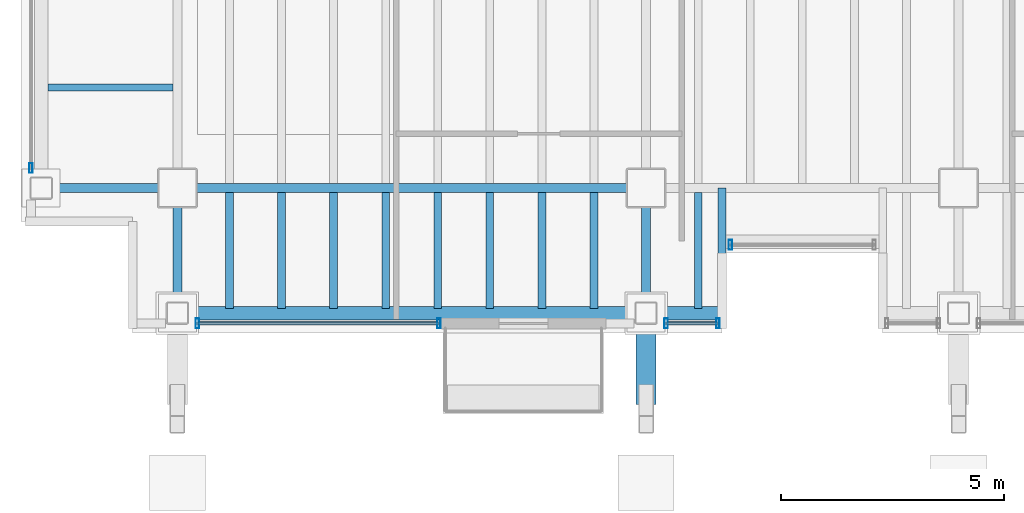
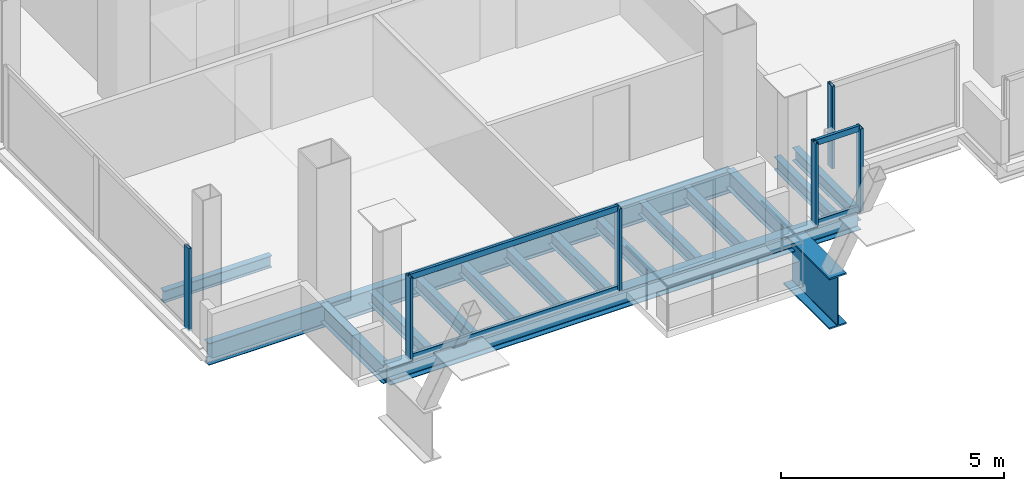
# One storey, part 2 of 16: 18 beams, 10 members, 4 elements without a shape of their own.
"""IFC4 building model written with IfcOpenShell, lengths in metres."""

from ifc_helpers import new_model, si_unit, direction, frame, origin, origin_2d, place, context, subcontext, project, spatial, hollow_rectangle, i_section, extrude, material, material_profile, profile_set, type_object, element, aggregate, save


model = new_model("IFC4")

# Units and contexts
model_context = context("Model", 3, precision=1e-05, world=origin(), true_north=direction((0.0, 1.0)))
body_context = subcontext(model_context, "Body", "Model", "MODEL_VIEW")
ifc_project = project(units=[si_unit("LENGTHUNIT", "METRE"), si_unit("AREAUNIT", "SQUARE_METRE"), si_unit("VOLUMEUNIT", "CUBIC_METRE"), si_unit("PLANEANGLEUNIT", "RADIAN"), si_unit("MASSUNIT", "GRAM", prefix="KILO")], contexts=[model_context])

# Site, building, storey
site_placement = place(None, origin())
site = spatial("IfcSite", under=ifc_project, at=site_placement, CompositionType="ELEMENT")
building_placement = place(site_placement, origin())
building = spatial("IfcBuilding", under=site, at=building_placement, Name="Noeulbin Bourse Tower", CompositionType="ELEMENT")
storey_placement = place(building_placement, frame((0.0, 0.0, 192.89990234375)))
storey = spatial("IfcBuildingStorey", under=building, at=storey_placement, Name="L48", CompositionType="ELEMENT", Elevation=192.89990234375)

# Beams
ifc_material_1 = material(Name="Steel S355", Category="steel")
ifc_material_profile_1 = material_profile(ifc_material_1, i_section(OverallWidth=0.199951171875, OverallDepth=0.5, WebThickness=0.010009765625, FlangeThickness=0.01611328125, FilletRadius=0.02001953125, at=origin_2d()), Name="H-500x200x10x16", Category="LoadBearing")
ifc_profile_set_1 = profile_set([ifc_material_profile_1], Name="Steel S355")
beam_type_1 = type_object("IfcBeamType", Name="BM-GRD-500", PredefinedType="USERDEFINED", material=ifc_profile_set_1)
for number, where, z_axis, x_axis, name in (
    (1, (13.5, 17.199951171875, -0.429931640625), (0.0, 1.0, 0.0), (-1.0, 0.0, 0.0), "Tower Primary Girder NS L48-1.1"),
    (2, (24.0, 17.199951171875, -0.429931640625), (0.0, 1.0, 0.0), (-1.0, 0.0, 0.0), "Tower Primary Girder NS L48-2.1"),
):
    element("IfcBeam", number, at=place(storey_placement, frame(where, z_axis=z_axis, x_axis=x_axis)), inside=storey, type_object=beam_type_1, Name=name, ObjectType="GIRDER", PredefinedType="USERDEFINED", context=body_context, shape_type="SweptSolid", body=[
        extrude(i_section(OverallWidth=0.199951171875, OverallDepth=0.5, WebThickness=0.010009765625, FlangeThickness=0.01611328125, FilletRadius=0.02001953125, at=origin_2d()), origin(), (0.0, 0.0, 1.0), 2.800048828125),
    ])
ifc_material_profile_2 = material_profile(ifc_material_1, i_section(OverallWidth=0.199951171875, OverallDepth=0.60009765625, WebThickness=0.010986328125, FlangeThickness=0.01708984375, FilletRadius=0.02197265625, at=origin_2d()), Name="H-600x200x11x17", Category="LoadBearing")
ifc_profile_set_2 = profile_set([ifc_material_profile_2], Name="Steel S355")
beam_type_2 = type_object("IfcBeamType", Name="BM-GRD-600", PredefinedType="USERDEFINED", material=ifc_profile_set_2)
beam_1_placement = place(storey_placement, frame((10.449951171875, 20.0, -0.47998046875), z_axis=(1.0, 0.0, 0.0), x_axis=(0.0, 1.0, 0.0)))
element("IfcBeam", 3, at=beam_1_placement, inside=storey, type_object=beam_type_2, Name="Tower Primary Girder EW L48-1.1", ObjectType="GIRDER", PredefinedType="USERDEFINED", context=body_context, shape_type="SweptSolid", body=[
    extrude(i_section(OverallWidth=0.199951171875, OverallDepth=0.60009765625, WebThickness=0.010986328125, FlangeThickness=0.01708984375, FilletRadius=0.02197265625, at=origin_2d()), origin(), (0.0, 0.0, 1.0), 3.050048828125),
])
beam_2_placement = place(storey_placement, frame((13.5, 20.0, -0.47998046875), z_axis=(1.0, 0.0, 0.0), x_axis=(0.0, 1.0, 0.0)))
element("IfcBeam", 4, at=beam_2_placement, inside=storey, type_object=beam_type_2, Name="Tower Primary Girder EW L48-1.2", ObjectType="GIRDER", PredefinedType="USERDEFINED", context=body_context, shape_type="SweptSolid", body=[
    extrude(i_section(OverallWidth=0.199951171875, OverallDepth=0.60009765625, WebThickness=0.010986328125, FlangeThickness=0.01708984375, FilletRadius=0.02197265625, at=origin_2d()), origin(), (0.0, 0.0, 1.0), 10.5),
])
ifc_material_profile_3 = material_profile(ifc_material_1, i_section(OverallWidth=0.159912109375, OverallDepth=0.320068359375, WebThickness=0.006591796875, FlangeThickness=0.010009765625, FilletRadius=0.012939453125, at=origin_2d()), Name="H-320x160x6.5x10", Category="LoadBearing")
ifc_profile_set_3 = profile_set([ifc_material_profile_3], Name="Steel S355")
beam_type_3 = type_object("IfcBeamType", Name="BM-JST-320", PredefinedType="JOIST", material=ifc_profile_set_3)
beam_3_placement = place(storey_placement, frame((10.60009765625, 22.25, -0.33984375), z_axis=(1.0, 0.0, 0.0), x_axis=(0.0, 1.0, 0.0)))
element("IfcBeam", 5, at=beam_3_placement, inside=storey, type_object=beam_type_3, Name="Wing Composite Joist L48-W67", PredefinedType="JOIST", context=body_context, shape_type="SweptSolid", body=[
    extrude(i_section(OverallWidth=0.159912109375, OverallDepth=0.320068359375, WebThickness=0.006591796875, FlangeThickness=0.010009765625, FilletRadius=0.012939453125, at=origin_2d()), origin(), (0.0, 0.0, 1.0), 2.7998046875),
])
ifc_material_profile_4 = material_profile(ifc_material_1, i_section(OverallWidth=0.175048828125, OverallDepth=0.35009765625, WebThickness=0.007080078125, FlangeThickness=0.010986328125, FilletRadius=0.013916015625, at=origin_2d()), Name="H-350x175x7x11", Category="LoadBearing")
ifc_profile_set_4 = profile_set([ifc_material_profile_4], Name="Steel S355")
beam_type_4 = type_object("IfcBeamType", Name="BM-JST-350", PredefinedType="JOIST", material=ifc_profile_set_4)
beam_4_placement = place(storey_placement, frame((25.699951171875, 17.199951171875, -0.35498046875), z_axis=(0.0, 1.0, 0.0), x_axis=(-1.0, 0.0, 0.0)))
element("IfcBeam", 6, at=beam_4_placement, inside=storey, type_object=beam_type_4, Name="BM-L48-SRT-W", PredefinedType="JOIST", context=body_context, shape_type="SweptSolid", body=[
    extrude(i_section(OverallWidth=0.175048828125, OverallDepth=0.35009765625, WebThickness=0.007080078125, FlangeThickness=0.010986328125, FilletRadius=0.013916015625, at=origin_2d()), origin(), (0.0, 0.0, 1.0), 2.800048828125),
])
for number, where, z_axis, x_axis, name in (
    (7, (14.666748046875, 17.300048828125, -0.35498046875), (0.0, 1.0, 0.0), (-1.0, 0.0, 0.0), "Tower Composite Joist L48-01"),
    (8, (15.833251953125, 17.300048828125, -0.35498046875), (0.0, 1.0, 0.0), (-1.0, 0.0, 0.0), "Tower Composite Joist L48-04"),
    (9, (17.0, 17.300048828125, -0.35498046875), (0.0, 1.0, 0.0), (-1.0, 0.0, 0.0), "Tower Composite Joist L48-07"),
    (10, (18.166748046875, 17.300048828125, -0.35498046875), (0.0, 1.0, 0.0), (-1.0, 0.0, 0.0), "Tower Composite Joist L48-10"),
    (11, (19.333251953125, 17.300048828125, -0.35498046875), (0.0, 1.0, 0.0), (-1.0, 0.0, 0.0), "Tower Composite Joist L48-13"),
    (12, (20.5, 17.300048828125, -0.35498046875), (0.0, 1.0, 0.0), (-1.0, 0.0, 0.0), "Tower Composite Joist L48-16"),
    (13, (21.666748046875, 17.300048828125, -0.35498046875), (0.0, 1.0, 0.0), (-1.0, 0.0, 0.0), "Tower Composite Joist L48-19"),
    (14, (22.833251953125, 17.300048828125, -0.35498046875), (0.0, 1.0, 0.0), (-1.0, 0.0, 0.0), "Tower Composite Joist L48-22"),
    (15, (25.166748046875, 17.300048828125, -0.35498046875), (0.0, 1.0, 0.0), (-1.0, 0.0, 0.0), "Tower Composite Joist L48-25"),
):
    element("IfcBeam", number, at=place(storey_placement, frame(where, z_axis=z_axis, x_axis=x_axis)), inside=storey, type_object=beam_type_4, Name=name, PredefinedType="JOIST", context=body_context, shape_type="SweptSolid", body=[
        extrude(i_section(OverallWidth=0.175048828125, OverallDepth=0.35009765625, WebThickness=0.007080078125, FlangeThickness=0.010986328125, FilletRadius=0.013916015625, at=origin_2d()), origin(), (0.0, 0.0, 1.0), 2.599853515625),
    ])
ifc_material_profile_5 = material_profile(ifc_material_1, i_section(OverallWidth=0.300048828125, OverallDepth=0.488037109375, WebThickness=0.010986328125, FlangeThickness=0.01806640625, FilletRadius=0.02197265625, at=origin_2d()), Name="H-488x300x11x18", Category="LoadBearing")
ifc_profile_set_5 = profile_set([ifc_material_profile_5], Name="Steel S355")
beam_type_5 = type_object("IfcBeamType", Name="BM-SPN-488", PredefinedType="SPANDREL", material=ifc_profile_set_5)
beam_5_placement = place(storey_placement, frame((13.5, 17.199951171875, -0.423828125), z_axis=(1.0, 0.0, 0.0), x_axis=(0.0, 1.0, 0.0)))
element("IfcBeam", 16, at=beam_5_placement, inside=storey, type_object=beam_type_5, Name="South Spandrel L48-1", PredefinedType="SPANDREL", context=body_context, shape_type="SweptSolid", body=[
    extrude(i_section(OverallWidth=0.300048828125, OverallDepth=0.488037109375, WebThickness=0.010986328125, FlangeThickness=0.01806640625, FilletRadius=0.02197265625, at=origin_2d()), origin(), (0.0, 0.0, 1.0), 10.5),
])
beam_6_placement = place(storey_placement, frame((24.0, 17.199951171875, -0.423828125), z_axis=(1.0, 0.0, 0.0), x_axis=(0.0, 1.0, 0.0)))
element("IfcBeam", 17, at=beam_6_placement, inside=storey, type_object=beam_type_5, Name="South Spandrel L48-2A", PredefinedType="SPANDREL", context=body_context, shape_type="SweptSolid", body=[
    extrude(i_section(OverallWidth=0.300048828125, OverallDepth=0.488037109375, WebThickness=0.010986328125, FlangeThickness=0.01806640625, FilletRadius=0.02197265625, at=origin_2d()), origin(), (0.0, 0.0, 1.0), 1.699951171875),
])
ifc_material_2 = material(Name="Steel S460", Category="steel")
ifc_material_profile_6 = material_profile(ifc_material_2, i_section(OverallWidth=0.449951171875, OverallDepth=1.39990234375, WebThickness=0.02392578125, FlangeThickness=0.0400390625, FilletRadius=0.02392578125, at=origin_2d()), Name="PG-1400x450x24x40", Category="LoadBearing")
ifc_profile_set_6 = profile_set([ifc_material_profile_6], Name="Steel S460")
beam_type_6 = type_object("IfcBeamType", Name="BM-TRF-1400", PredefinedType="USERDEFINED", material=ifc_profile_set_6)
beam_7_placement = place(storey_placement, frame((24.0, 15.14990234375, -0.8798828125), z_axis=(0.0, 1.0, 0.0), x_axis=(-1.0, 0.0, 0.0)))
element("IfcBeam", 18, at=beam_7_placement, inside=storey, type_object=beam_type_6, Name="Transfer Outrigger Corbel L48-02", ObjectType="GIRDER", PredefinedType="USERDEFINED", context=body_context, shape_type="SweptSolid", body=[
    extrude(i_section(OverallWidth=0.449951171875, OverallDepth=1.39990234375, WebThickness=0.02392578125, FlangeThickness=0.0400390625, FilletRadius=0.02392578125, at=origin_2d()), origin(), (0.0, 0.0, 1.0), 2.050048828125),
])

# Curtain wall, member
ifc_material_3 = material(Name="Dark Tinted Triple Glazing", Category="glass")
curtain_wall_type = type_object("IfcCurtainWallType", Name="CW-SYS-3", PredefinedType="NOTDEFINED", material=ifc_material_3)
curtain_wall_1_placement = place(storey_placement, origin())
curtain_wall_1 = element("IfcCurtainWall", 19, at=curtain_wall_1_placement, inside=storey, type_object=curtain_wall_type, Name="Unitised Curtain Wall CW-L48-SREC", PredefinedType="NOTDEFINED")
ifc_material_4 = material(Name="Anodised Aluminium 6063-T6", Category="aluminium")
ifc_material_profile_7 = material_profile(ifc_material_4, hollow_rectangle(XDim=0.074951171875, YDim=0.219970703125, WallThickness=0.0048828125, InnerFilletRadius=0.00244140625, OuterFilletRadius=0.0048828125, at=origin_2d()), Name="ALU-MULL-75x220x5", Category="LoadBearing")
ifc_profile_set_7 = profile_set([ifc_material_profile_7], Name="Anodised Aluminium 6063-T6")
member_type_1 = type_object("IfcMemberType", Name="CW-SYS-3-MUL", PredefinedType="MULLION", material=ifc_profile_set_7)
member_1_placement = place(storey_placement, frame((25.889892578125, 18.72998046875, -0.02001953125), z_axis=(0.0, 0.0, 1.0), x_axis=(1.0, 0.0, 0.0)))
member_1 = element("IfcMember", 20, at=member_1_placement, type_object=member_type_1, Name="Curtain Wall Mullion CW-L48-SREC-M00", PredefinedType="MULLION", context=body_context, shape_type="SweptSolid", body=[
    extrude(hollow_rectangle(XDim=0.074951171875, YDim=0.219970703125, WallThickness=0.0048828125, InnerFilletRadius=0.00244140625, OuterFilletRadius=0.0048828125, at=origin_2d()), origin(), (0.0, 0.0, 1.0), 2.260009765625),
])
aggregate(curtain_wall_1, [member_1])

# Curtain wall, members
curtain_wall_2_placement = place(storey_placement, origin())
curtain_wall_2 = element("IfcCurtainWall", 21, at=curtain_wall_2_placement, inside=storey, type_object=curtain_wall_type, Name="Unitised Curtain Wall CW-L48-S1", PredefinedType="NOTDEFINED")
member_2_placement = place(storey_placement, frame((13.949951171875, 16.969970703125, -0.02001953125), z_axis=(0.0, 0.0, 1.0), x_axis=(1.0, 0.0, 0.0)))
member_2 = element("IfcMember", 22, at=member_2_placement, type_object=member_type_1, Name="Curtain Wall Mullion CW-L48-S1-M00", PredefinedType="MULLION", context=body_context, shape_type="SweptSolid", body=[
    extrude(hollow_rectangle(XDim=0.074951171875, YDim=0.219970703125, WallThickness=0.0048828125, InnerFilletRadius=0.00244140625, OuterFilletRadius=0.0048828125, at=origin_2d()), origin(), (0.0, 0.0, 1.0), 2.260009765625),
])
member_3_placement = place(storey_placement, frame((19.360107421875, 16.969970703125, -0.02001953125), z_axis=(0.0, 0.0, 1.0), x_axis=(1.0, 0.0, 0.0)))
member_3 = element("IfcMember", 23, at=member_3_placement, type_object=member_type_1, Name="Curtain Wall Mullion CW-L48-S1-M01", PredefinedType="MULLION", context=body_context, shape_type="SweptSolid", body=[
    extrude(hollow_rectangle(XDim=0.074951171875, YDim=0.219970703125, WallThickness=0.0048828125, InnerFilletRadius=0.00244140625, OuterFilletRadius=0.0048828125, at=origin_2d()), origin(), (0.0, 0.0, 1.0), 2.260009765625),
])

curtain_wall_3_placement = place(storey_placement, origin())
curtain_wall_3 = element("IfcCurtainWall", 24, at=curtain_wall_3_placement, inside=storey, type_object=curtain_wall_type, Name="Unitised Curtain Wall CW-L48-S2", PredefinedType="NOTDEFINED")
member_4_placement = place(storey_placement, frame((24.449951171875, 16.969970703125, -0.02001953125), z_axis=(0.0, 0.0, 1.0), x_axis=(1.0, 0.0, 0.0)))
member_4 = element("IfcMember", 25, at=member_4_placement, type_object=member_type_1, Name="Curtain Wall Mullion CW-L48-S2-M00", PredefinedType="MULLION", context=body_context, shape_type="SweptSolid", body=[
    extrude(hollow_rectangle(XDim=0.074951171875, YDim=0.219970703125, WallThickness=0.0048828125, InnerFilletRadius=0.00244140625, OuterFilletRadius=0.0048828125, at=origin_2d()), origin(), (0.0, 0.0, 1.0), 2.260009765625),
])
member_5_placement = place(storey_placement, frame((25.610107421875, 16.969970703125, -0.02001953125), z_axis=(0.0, 0.0, 1.0), x_axis=(1.0, 0.0, 0.0)))
member_5 = element("IfcMember", 26, at=member_5_placement, type_object=member_type_1, Name="Curtain Wall Mullion CW-L48-S2-M01", PredefinedType="MULLION", context=body_context, shape_type="SweptSolid", body=[
    extrude(hollow_rectangle(XDim=0.074951171875, YDim=0.219970703125, WallThickness=0.0048828125, InnerFilletRadius=0.00244140625, OuterFilletRadius=0.0048828125, at=origin_2d()), origin(), (0.0, 0.0, 1.0), 2.260009765625),
])

# Curtain wall, member
curtain_wall_4_placement = place(storey_placement, origin())
curtain_wall_4 = element("IfcCurtainWall", 27, at=curtain_wall_4_placement, inside=storey, type_object=curtain_wall_type, Name="Unitised Curtain Wall CW-L48-W-S1", PredefinedType="NOTDEFINED")
member_6_placement = place(storey_placement, frame((10.219970703125, 20.449951171875, -0.02001953125), z_axis=(0.0, 0.0, 1.0), x_axis=(1.0, 0.0, 0.0)))
member_6 = element("IfcMember", 28, at=member_6_placement, type_object=member_type_1, Name="Curtain Wall Mullion CW-L48-W-S1-M00", PredefinedType="MULLION", context=body_context, shape_type="SweptSolid", body=[
    extrude(hollow_rectangle(XDim=0.074951171875, YDim=0.219970703125, WallThickness=0.0048828125, InnerFilletRadius=0.00244140625, OuterFilletRadius=0.0048828125, at=origin_2d()), origin(), (0.0, 0.0, 1.0), 2.260009765625),
])
aggregate(curtain_wall_4, [member_6])

# Member
ifc_material_profile_8 = material_profile(ifc_material_4, hollow_rectangle(XDim=0.074951171875, YDim=0.159912109375, WallThickness=0.0048828125, InnerFilletRadius=0.00244140625, OuterFilletRadius=0.0048828125, at=origin_2d()), Name="ALU-TRAN-75x160x5", Category="LoadBearing")
ifc_profile_set_8 = profile_set([ifc_material_profile_8], Name="Anodised Aluminium 6063-T6")
member_type_2 = type_object("IfcMemberType", Name="CW-SYS-3-TRN", PredefinedType="USERDEFINED", material=ifc_profile_set_8)
member_7_placement = place(storey_placement, frame((13.9599609375, 16.969970703125, 0.010009765625), z_axis=(1.0, 0.0, 0.0), x_axis=(0.0, 1.0, 0.0)))
member_7 = element("IfcMember", 29, at=member_7_placement, type_object=member_type_2, Name="Curtain Wall Transom CW-L48-S1-T00", ObjectType="TRANSOM", PredefinedType="USERDEFINED", context=body_context, shape_type="SweptSolid", body=[
    extrude(hollow_rectangle(XDim=0.074951171875, YDim=0.159912109375, WallThickness=0.0048828125, InnerFilletRadius=0.00244140625, OuterFilletRadius=0.0048828125, at=origin_2d()), origin(), (0.0, 0.0, 1.0), 5.39013671875),
])

member_8_placement = place(storey_placement, frame((13.9599609375, 16.969970703125, 2.210205078125), z_axis=(1.0, 0.0, 0.0), x_axis=(0.0, 1.0, 0.0)))
member_8 = element("IfcMember", 30, at=member_8_placement, type_object=member_type_2, Name="Curtain Wall Transom CW-L48-S1-T01", ObjectType="TRANSOM", PredefinedType="USERDEFINED", context=body_context, shape_type="SweptSolid", body=[
    extrude(hollow_rectangle(XDim=0.074951171875, YDim=0.159912109375, WallThickness=0.0048828125, InnerFilletRadius=0.00244140625, OuterFilletRadius=0.0048828125, at=origin_2d()), origin(), (0.0, 0.0, 1.0), 5.39013671875),
])

aggregate(curtain_wall_2, [member_2, member_3, member_7, member_8])

member_9_placement = place(storey_placement, frame((24.4599609375, 16.969970703125, 0.010009765625), z_axis=(1.0, 0.0, 0.0), x_axis=(0.0, 1.0, 0.0)))
member_9 = element("IfcMember", 31, at=member_9_placement, type_object=member_type_2, Name="Curtain Wall Transom CW-L48-S2-T00", ObjectType="TRANSOM", PredefinedType="USERDEFINED", context=body_context, shape_type="SweptSolid", body=[
    extrude(hollow_rectangle(XDim=0.074951171875, YDim=0.159912109375, WallThickness=0.0048828125, InnerFilletRadius=0.00244140625, OuterFilletRadius=0.0048828125, at=origin_2d()), origin(), (0.0, 0.0, 1.0), 1.14013671875),
])

member_10_placement = place(storey_placement, frame((24.4599609375, 16.969970703125, 2.210205078125), z_axis=(1.0, 0.0, 0.0), x_axis=(0.0, 1.0, 0.0)))
member_10 = element("IfcMember", 32, at=member_10_placement, type_object=member_type_2, Name="Curtain Wall Transom CW-L48-S2-T01", ObjectType="TRANSOM", PredefinedType="USERDEFINED", context=body_context, shape_type="SweptSolid", body=[
    extrude(hollow_rectangle(XDim=0.074951171875, YDim=0.159912109375, WallThickness=0.0048828125, InnerFilletRadius=0.00244140625, OuterFilletRadius=0.0048828125, at=origin_2d()), origin(), (0.0, 0.0, 1.0), 1.14013671875),
])

aggregate(curtain_wall_3, [member_4, member_5, member_9, member_10])

save(model, "model.ifc")
